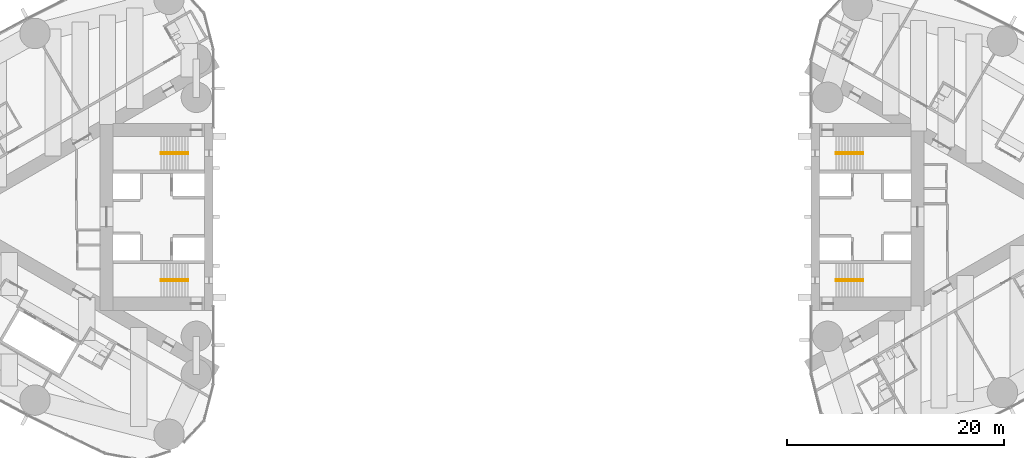
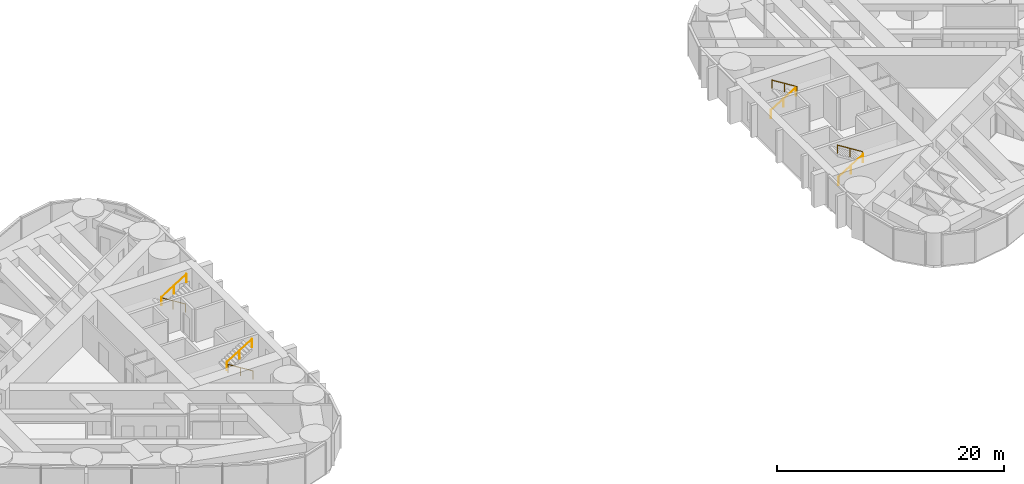
# One storey, part 18 of 19: 8 railings.
"""IFC4 building model written with IfcOpenShell, lengths in metres."""

from ifc_helpers import new_model, si_unit, direction, frame, origin, origin_2d, place, context, subcontext, project, spatial, circle, extrude, material, type_object, element, save


model = new_model("IFC4")

# Units and contexts
model_context = context("Model", 3, precision=1e-05, world=origin(), true_north=direction((0.0, 1.0)))
body_context = subcontext(model_context, "Body", "Model", "MODEL_VIEW")
ifc_project = project(units=[si_unit("LENGTHUNIT", "METRE"), si_unit("AREAUNIT", "SQUARE_METRE"), si_unit("VOLUMEUNIT", "CUBIC_METRE"), si_unit("PLANEANGLEUNIT", "RADIAN"), si_unit("MASSUNIT", "GRAM", prefix="KILO")], contexts=[model_context])

# Site, building, storey
site_placement = place(None, origin())
site = spatial("IfcSite", under=ifc_project, at=site_placement, CompositionType="ELEMENT")
building_placement = place(site_placement, origin())
building = spatial("IfcBuilding", under=site, at=building_placement, Name="Lancet Gate Hotel", CompositionType="ELEMENT")
storey_placement = place(building_placement, frame((0.0, 0.0, 170.300048828125)))
storey = spatial("IfcBuildingStorey", under=building, at=storey_placement, Name="L45", CompositionType="ELEMENT", Elevation=170.300048828125)

# Railings
ifc_material = material(Name="Stainless steel handrail", Category="steel")
railing_type = type_object("IfcRailingType", Name="Stair handrail 900", PredefinedType="HANDRAIL", material=ifc_material)
railing_1_placement = place(storey_placement, frame((-29.800048828125, 5.929931640625, 0.175048828125)))
element("IfcRailing", 1, at=railing_1_placement, inside=storey, type_object=railing_type, Name="ST1 handrail flight 1 L45", PredefinedType="HANDRAIL", context=body_context, shape_type="SweptSolid", body=[
    extrude(circle(Radius=0.02392578125, at=origin_2d()), frame((0.0, 0.0, 0.8759765625), z_axis=(-0.848007534815, 0.0, 0.529984170421), x_axis=(0.0, -1.0, 0.0)), (0.0, 0.0, 1.0), 2.9716796875),
    extrude(circle(Radius=0.02099609375, at=origin_2d()), origin(), (0.0, 0.0, 1.0), 0.851806640625),
    extrude(circle(Radius=0.02099609375, at=origin_2d()), frame((-1.260009765625, 0.0, 0.78759765625)), (0.0, 0.0, 1.0), 0.851806640625),
    extrude(circle(Radius=0.02099609375, at=origin_2d()), frame((-2.52001953125, 0.0, 1.574951171875)), (0.0, 0.0, 1.0), 0.851806640625),
])
railing_2_placement = place(storey_placement, frame((-32.320068359375, 5.77001953125, 1.925048828125)))
element("IfcRailing", 2, at=railing_2_placement, inside=storey, type_object=railing_type, Name="ST1 handrail flight 2 L45", PredefinedType="HANDRAIL", context=body_context, shape_type="SweptSolid", body=[
    extrude(circle(Radius=0.02392578125, at=origin_2d()), frame((0.0, 0.0, 0.8759765625), z_axis=(0.848007534815, 0.0, 0.529984170421), x_axis=(0.0, 1.0, 0.0)), (0.0, 0.0, 1.0), 2.9716796875),
    extrude(circle(Radius=0.02099609375, at=origin_2d()), origin(), (0.0, 0.0, 1.0), 0.851806640625),
    extrude(circle(Radius=0.02099609375, at=origin_2d()), frame((1.260009765625, 0.0, 0.78759765625)), (0.0, 0.0, 1.0), 0.851806640625),
    extrude(circle(Radius=0.02099609375, at=origin_2d()), frame((2.52001953125, 0.0, 1.574951171875)), (0.0, 0.0, 1.0), 0.851806640625),
])
railing_3_placement = place(storey_placement, frame((-29.800048828125, -5.929931640625, 0.175048828125)))
element("IfcRailing", 3, at=railing_3_placement, inside=storey, type_object=railing_type, Name="ST2 handrail flight 1 L45", PredefinedType="HANDRAIL", context=body_context, shape_type="SweptSolid", body=[
    extrude(circle(Radius=0.02392578125, at=origin_2d()), frame((0.0, 0.0, 0.8759765625), z_axis=(-0.848007534815, 0.0, 0.529984170421), x_axis=(0.0, -1.0, 0.0)), (0.0, 0.0, 1.0), 2.9716796875),
    extrude(circle(Radius=0.02099609375, at=origin_2d()), origin(), (0.0, 0.0, 1.0), 0.851806640625),
    extrude(circle(Radius=0.02099609375, at=origin_2d()), frame((-1.260009765625, 0.0, 0.78759765625)), (0.0, 0.0, 1.0), 0.851806640625),
    extrude(circle(Radius=0.02099609375, at=origin_2d()), frame((-2.52001953125, 0.0, 1.574951171875)), (0.0, 0.0, 1.0), 0.851806640625),
])
for number, where, name in (
    (4, (-32.320068359375, -5.77001953125, 1.925048828125), "ST2 handrail flight 2 L45"),
    (5, (29.800048828125, -5.929931640625, 0.175048828125), "ST3 handrail flight 1 L45"),
):
    element("IfcRailing", number, at=place(storey_placement, frame(where)), inside=storey, type_object=railing_type, Name=name, PredefinedType="HANDRAIL", context=body_context, shape_type="SweptSolid", body=[
        extrude(circle(Radius=0.02392578125, at=origin_2d()), frame((0.0, 0.0, 0.8759765625), z_axis=(0.848007534815, 0.0, 0.529984170421), x_axis=(0.0, 1.0, 0.0)), (0.0, 0.0, 1.0), 2.9716796875),
        extrude(circle(Radius=0.02099609375, at=origin_2d()), origin(), (0.0, 0.0, 1.0), 0.851806640625),
        extrude(circle(Radius=0.02099609375, at=origin_2d()), frame((1.260009765625, 0.0, 0.78759765625)), (0.0, 0.0, 1.0), 0.851806640625),
        extrude(circle(Radius=0.02099609375, at=origin_2d()), frame((2.52001953125, 0.0, 1.574951171875)), (0.0, 0.0, 1.0), 0.851806640625),
    ])
railing_4_placement = place(storey_placement, frame((32.320068359375, -5.77001953125, 1.925048828125)))
element("IfcRailing", 6, at=railing_4_placement, inside=storey, type_object=railing_type, Name="ST3 handrail flight 2 L45", PredefinedType="HANDRAIL", context=body_context, shape_type="SweptSolid", body=[
    extrude(circle(Radius=0.02392578125, at=origin_2d()), frame((0.0, 0.0, 0.8759765625), z_axis=(-0.848007534815, 0.0, 0.529984170421), x_axis=(0.0, -1.0, 0.0)), (0.0, 0.0, 1.0), 2.9716796875),
    extrude(circle(Radius=0.02099609375, at=origin_2d()), origin(), (0.0, 0.0, 1.0), 0.851806640625),
    extrude(circle(Radius=0.02099609375, at=origin_2d()), frame((-1.260009765625, 0.0, 0.78759765625)), (0.0, 0.0, 1.0), 0.851806640625),
    extrude(circle(Radius=0.02099609375, at=origin_2d()), frame((-2.52001953125, 0.0, 1.574951171875)), (0.0, 0.0, 1.0), 0.851806640625),
])
railing_5_placement = place(storey_placement, frame((29.800048828125, 5.929931640625, 0.175048828125)))
element("IfcRailing", 7, at=railing_5_placement, inside=storey, type_object=railing_type, Name="ST4 handrail flight 1 L45", PredefinedType="HANDRAIL", context=body_context, shape_type="SweptSolid", body=[
    extrude(circle(Radius=0.02392578125, at=origin_2d()), frame((0.0, 0.0, 0.8759765625), z_axis=(0.848007534815, 0.0, 0.529984170421), x_axis=(0.0, 1.0, 0.0)), (0.0, 0.0, 1.0), 2.9716796875),
    extrude(circle(Radius=0.02099609375, at=origin_2d()), origin(), (0.0, 0.0, 1.0), 0.851806640625),
    extrude(circle(Radius=0.02099609375, at=origin_2d()), frame((1.260009765625, 0.0, 0.78759765625)), (0.0, 0.0, 1.0), 0.851806640625),
    extrude(circle(Radius=0.02099609375, at=origin_2d()), frame((2.52001953125, 0.0, 1.574951171875)), (0.0, 0.0, 1.0), 0.851806640625),
])
railing_6_placement = place(storey_placement, frame((32.320068359375, 5.77001953125, 1.925048828125)))
element("IfcRailing", 8, at=railing_6_placement, inside=storey, type_object=railing_type, Name="ST4 handrail flight 2 L45", PredefinedType="HANDRAIL", context=body_context, shape_type="SweptSolid", body=[
    extrude(circle(Radius=0.02392578125, at=origin_2d()), frame((0.0, 0.0, 0.8759765625), z_axis=(-0.848007534815, 0.0, 0.529984170421), x_axis=(0.0, -1.0, 0.0)), (0.0, 0.0, 1.0), 2.9716796875),
    extrude(circle(Radius=0.02099609375, at=origin_2d()), origin(), (0.0, 0.0, 1.0), 0.851806640625),
    extrude(circle(Radius=0.02099609375, at=origin_2d()), frame((-1.260009765625, 0.0, 0.78759765625)), (0.0, 0.0, 1.0), 0.851806640625),
    extrude(circle(Radius=0.02099609375, at=origin_2d()), frame((-2.52001953125, 0.0, 1.574951171875)), (0.0, 0.0, 1.0), 0.851806640625),
])

save(model, "model.ifc")
